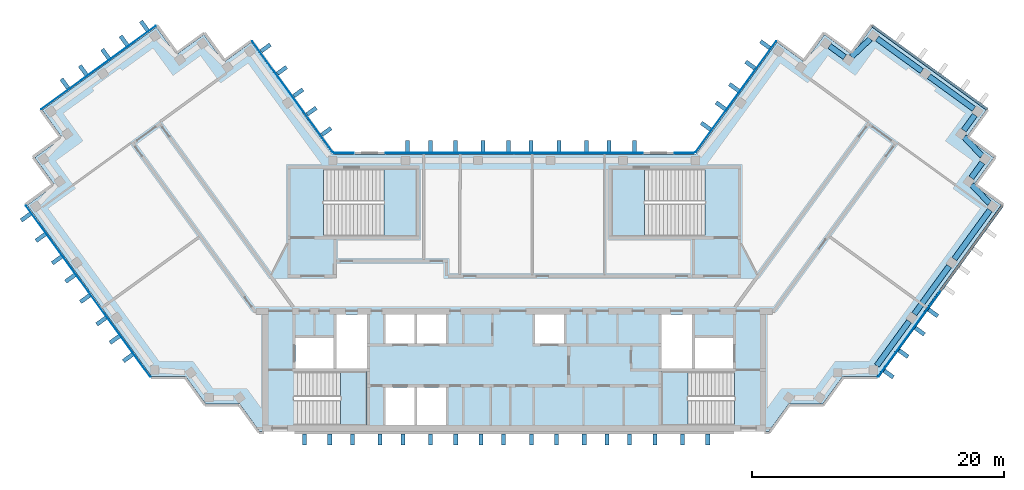
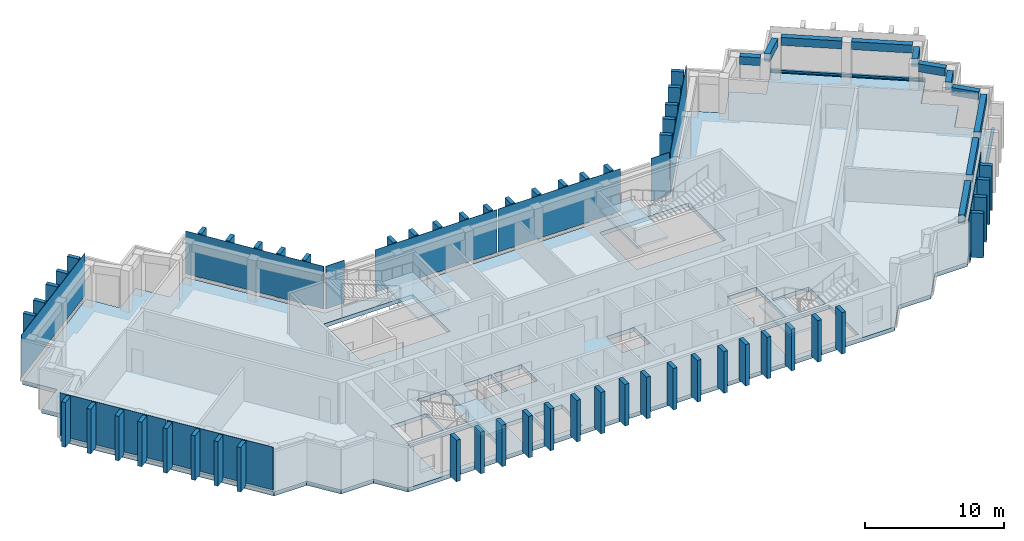
"""IFC4 building model written with IfcOpenShell, lengths in metres."""

from ifc_helpers import new_model, si_unit, direction, frame, origin, origin_2d, place, context, subcontext, project, spatial, polyline, rectangle, outline, extrude, material, layer, layer_set, material_profile, profile_set, type_object, element, aggregate, save


model = new_model("IFC4")

# Units and contexts
model_context = context("Model", 3, precision=1e-05, world=origin(), true_north=direction((0.0, 1.0)))
body_context = subcontext(model_context, "Body", "Model", "MODEL_VIEW")
ifc_project = project(units=[si_unit("LENGTHUNIT", "METRE"), si_unit("AREAUNIT", "SQUARE_METRE"), si_unit("VOLUMEUNIT", "CUBIC_METRE"), si_unit("PLANEANGLEUNIT", "RADIAN"), si_unit("MASSUNIT", "GRAM", prefix="KILO")], contexts=[model_context])

# Site, building, storey
site_placement = place(None, origin())
site = spatial("IfcSite", under=ifc_project, at=site_placement, CompositionType="ELEMENT")
building_placement = place(site_placement, origin())
building = spatial("IfcBuilding", under=site, at=building_placement, Name="Quipu Civic Tower", CompositionType="ELEMENT")
storey_1_placement = place(building_placement, frame((0.0, 0.0, 331.0)))
storey_1 = spatial("IfcBuildingStorey", under=building, at=storey_1_placement, Name="L77", CompositionType="ELEMENT", Elevation=331.0)

# Beams
ifc_material_1 = material(Name="Concrete C50/60", Category="concrete")
ifc_material_profile_1 = material_profile(ifc_material_1, rectangle(XDim=0.449951171875, YDim=0.699951171875, at=origin_2d()), Name="RC450x700")
ifc_profile_set_1 = profile_set([ifc_material_profile_1], Name="Concrete C50/60")
beam_type = type_object("IfcBeamType", Name="Spandrel beam RC 450x700 C50/60", PredefinedType="SPANDREL", material=ifc_profile_set_1)
beam_1_placement = place(storey_1_placement, frame((28.779296875, -5.780029296875, 3.300048828125), z_axis=(0.58777550284, 0.809024077677, 0.0), x_axis=(-0.809024077677, 0.58777550284, 0.0)))
element("IfcBeam", 1, at=beam_1_placement, inside=storey_1, type_object=beam_type, Name="Spandrel beam L77 J-Eo.4 to E-OUT-01", PredefinedType="SPANDREL", context=body_context, shape_type="SweptSolid", body=[
    extrude(rectangle(XDim=0.449951171875, YDim=0.699951171875, at=origin_2d()), origin(), (0.0, 0.0, 1.0), 4.36083984375),
])
beam_2_placement = place(storey_1_placement, frame((31.75390625, -1.685546875, 3.300048828125), z_axis=(0.587788656305, 0.809014521204, 0.0), x_axis=(-0.809014521204, 0.587788656305, 0.0)))
element("IfcBeam", 2, at=beam_2_placement, inside=storey_1, type_object=beam_type, Name="Spandrel beam L77 E-OUT-01 to E-OUT-02", PredefinedType="SPANDREL", context=body_context, shape_type="SweptSolid", body=[
    extrude(rectangle(XDim=0.449951171875, YDim=0.699951171875, at=origin_2d()), origin(), (0.0, 0.0, 1.0), 4.7001953125),
])
beam_3_placement = place(storey_1_placement, frame((34.927978515625, 2.68310546875, 3.300048828125), z_axis=(0.587905928359, 0.808929304328, 0.0), x_axis=(-0.808929304328, 0.587905928359, 0.0)))
element("IfcBeam", 3, at=beam_3_placement, inside=storey_1, type_object=beam_type, Name="Spandrel beam L77 E-OUT-02 to T-Eo.0-E22", PredefinedType="SPANDREL", context=body_context, shape_type="SweptSolid", body=[
    extrude(rectangle(XDim=0.449951171875, YDim=0.699951171875, at=origin_2d()), origin(), (0.0, 0.0, 1.0), 4.80712890625),
])
beam_4_placement = place(storey_1_placement, frame((37.71484375, 7.11279296875, 3.300048828125), z_axis=(-0.689175330605, 0.724594620244, 0.0), x_axis=(-0.724594620244, -0.689175330605, 0.0)))
element("IfcBeam", 4, at=beam_4_placement, inside=storey_1, type_object=beam_type, Name="Spandrel beam L77 T-Eo.0-E22 to T-Eo.1-E22", PredefinedType="SPANDREL", context=body_context, shape_type="SweptSolid", body=[
    extrude(rectangle(XDim=0.449951171875, YDim=0.699951171875, at=origin_2d()), origin(), (0.0, 0.0, 1.0), 2.033447265625),
])
beam_5_placement = place(storey_1_placement, frame((36.273681640625, 9.12744140625, 3.300048828125), z_axis=(0.587164895097, 0.809467347066, 0.0), x_axis=(-0.809467347066, 0.587164895097, 0.0)))
element("IfcBeam", 5, at=beam_5_placement, inside=storey_1, type_object=beam_type, Name="Spandrel beam L77 T-Eo.1-E22 to T-Eo.2-E22", PredefinedType="SPANDREL", context=body_context, shape_type="SweptSolid", body=[
    extrude(rectangle(XDim=0.449951171875, YDim=0.699951171875, at=origin_2d()), origin(), (0.0, 0.0, 1.0), 1.500244140625),
])
beam_6_placement = place(storey_1_placement, frame((37.114990234375, 10.88330078125, 3.300048828125), z_axis=(-0.688247466856, 0.725475998477, 0.0), x_axis=(-0.725475998477, -0.688247466856, 0.0)))
element("IfcBeam", 6, at=beam_6_placement, inside=storey_1, type_object=beam_type, Name="Spandrel beam L77 T-Eo.2-E22 to T-Eo.3-E22", PredefinedType="SPANDREL", context=body_context, shape_type="SweptSolid", body=[
    extrude(rectangle(XDim=0.449951171875, YDim=0.699951171875, at=origin_2d()), origin(), (0.0, 0.0, 1.0), 2.032958984375),
])
beam_7_placement = place(storey_1_placement, frame((35.6767578125, 12.8994140625, 3.300048828125), z_axis=(0.588345920092, 0.808609348394, 0.0), x_axis=(-0.808609348394, 0.588345920092, 0.0)))
element("IfcBeam", 7, at=beam_7_placement, inside=storey_1, type_object=beam_type, Name="Spandrel beam L77 T-Eo.3-E22 to T-Eo.4-E22", PredefinedType="SPANDREL", context=body_context, shape_type="SweptSolid", body=[
    extrude(rectangle(XDim=0.449951171875, YDim=0.699951171875, at=origin_2d()), origin(), (0.0, 0.0, 1.0), 1.499755859375),
])
beam_8_placement = place(storey_1_placement, frame((36.481689453125, 14.6005859375, 3.300048828125), z_axis=(-0.809117270763, 0.587647208921, 0.0), x_axis=(-0.587647208921, -0.809117270763, 0.0)))
element("IfcBeam", 8, at=beam_8_placement, inside=storey_1, type_object=beam_type, Name="Spandrel beam L77 T-Eo.4-E22 to TIP-E-01-E22", PredefinedType="SPANDREL", context=body_context, shape_type="SweptSolid", body=[
    extrude(rectangle(XDim=0.449951171875, YDim=0.699951171875, at=origin_2d()), origin(), (0.0, 0.0, 1.0), 4.40185546875),
])
beam_9_placement = place(storey_1_placement, frame((32.353759765625, 17.5986328125, 3.300048828125), z_axis=(-0.809146152767, 0.587607439931, 0.0), x_axis=(-0.587607439931, -0.809146152767, 0.0)))
element("IfcBeam", 9, at=beam_9_placement, inside=storey_1, type_object=beam_type, Name="Spandrel beam L77 TIP-E-01-E22 to T-Ei.0-E22", PredefinedType="SPANDREL", context=body_context, shape_type="SweptSolid", body=[
    extrude(rectangle(XDim=0.449951171875, YDim=0.699951171875, at=origin_2d()), origin(), (0.0, 0.0, 1.0), 4.400390625),
])
beam_10_placement = place(storey_1_placement, frame((28.251708984375, 20.14501953125, 3.300048828125), z_axis=(-0.725359138958, -0.688370626574, 0.0), x_axis=(0.688370626574, -0.725359138958, 0.0)))
element("IfcBeam", 10, at=beam_10_placement, inside=storey_1, type_object=beam_type, Name="Spandrel beam L77 T-Ei.0-E22 to T-Ei.1-E22", PredefinedType="SPANDREL", context=body_context, shape_type="SweptSolid", body=[
    extrude(rectangle(XDim=0.449951171875, YDim=0.699951171875, at=origin_2d()), origin(), (0.0, 0.0, 1.0), 2.032958984375),
])
beam_11_placement = place(storey_1_placement, frame((26.236083984375, 18.70654296875, 3.300048828125), z_axis=(-0.808644589435, 0.588297482553, 0.0), x_axis=(-0.588297482553, -0.808644589435, 0.0)))
element("IfcBeam", 11, at=beam_11_placement, inside=storey_1, type_object=beam_type, Name="Spandrel beam L77 T-Ei.1-E22 to T-Ei.2-E22", PredefinedType="SPANDREL", context=body_context, shape_type="SweptSolid", body=[
    extrude(rectangle(XDim=0.449951171875, YDim=0.699951171875, at=origin_2d()), origin(), (0.0, 0.0, 1.0), 1.500244140625),
])

# Storey
storey_2_placement = place(building_placement, frame((0.0, 0.0, 323.0)))
storey_2 = spatial("IfcBuildingStorey", under=building, at=storey_2_placement, Name="L75", CompositionType="ELEMENT", Elevation=323.0)

# Curtain wall, member
ifc_material_2 = material(Name="Insulated glass unit", Category="glass")
curtain_wall_type = type_object("IfcCurtainWallType", Name="Office curtain wall CW1", PredefinedType="NOTDEFINED", material=ifc_material_2)
curtain_wall_1_placement = place(storey_2_placement, origin())
curtain_wall_1 = element("IfcCurtainWall", 12, at=curtain_wall_1_placement, inside=storey_2, type_object=curtain_wall_type, Name="Office curtain wall CW1 L74 run 28", PredefinedType="NOTDEFINED")
ifc_material_3 = material(Name="Anodised aluminium", Category="aluminium")
ifc_material_profile_2 = material_profile(ifc_material_3, rectangle(XDim=0.199951171875, YDim=0.159912109375, at=origin_2d()), Name="RECT 200x160")
ifc_profile_set_2 = profile_set([ifc_material_profile_2], Name="Anodised aluminium")
member_type = type_object("IfcMemberType", Name="Transom CW1", PredefinedType="USERDEFINED", material=ifc_profile_set_2)
member_1_placement = place(storey_1_placement, frame((37.536865234375, 14.575927734375, 0.0), z_axis=(-0.809022463805, 0.587777724194, 0.0), x_axis=(-0.587777724194, -0.809022463805, 0.0)))
member_1 = element("IfcMember", 13, at=member_1_placement, inside=storey_1, type_object=member_type, Name="CW1 transom 1.4", ObjectType="TRANSOM", PredefinedType="USERDEFINED", context=body_context, shape_type="SweptSolid", body=[
    extrude(rectangle(XDim=0.199951171875, YDim=0.159912109375, at=origin_2d()), origin(), (0.0, 0.0, 1.0), 11.240234375),
])
aggregate(curtain_wall_1, [member_1])

# Storey
storey_3_placement = place(building_placement, frame((0.0, 0.0, 327.0)))
storey_3 = spatial("IfcBuildingStorey", under=building, at=storey_3_placement, Name="L76", CompositionType="ELEMENT", Elevation=327.0)

# Curtain wall, members
curtain_wall_2_placement = place(storey_3_placement, origin())
curtain_wall_2 = element("IfcCurtainWall", 14, at=curtain_wall_2_placement, inside=storey_3, type_object=curtain_wall_type, Name="Office curtain wall CW1 L75 run 4", PredefinedType="NOTDEFINED")
member_2_placement = place(storey_1_placement, frame((28.876708984375, -6.66650390625, 0.080078125), z_axis=(0.587812107925, 0.808997481935, 0.0), x_axis=(-0.808997481935, 0.587812107925, 0.0)))
member_2 = element("IfcMember", 15, at=member_2_placement, inside=storey_1, type_object=member_type, Name="CW1 transom 1.3", ObjectType="TRANSOM", PredefinedType="USERDEFINED", context=body_context, shape_type="SweptSolid", body=[
    extrude(rectangle(XDim=0.199951171875, YDim=0.159912109375, at=origin_2d()), origin(), (0.0, 0.0, 1.0), 8.35791015625),
])
member_3_placement = place(storey_1_placement, frame((33.83642578125, 0.15966796875, 0.080078125), z_axis=(0.587779098815, 0.809021465102, 0.0), x_axis=(-0.809021465102, 0.587779098815, 0.0)))
member_3 = element("IfcMember", 16, at=member_3_placement, inside=storey_1, type_object=member_type, Name="CW1 transom 2.3", ObjectType="TRANSOM", PredefinedType="USERDEFINED", context=body_context, shape_type="SweptSolid", body=[
    extrude(rectangle(XDim=0.199951171875, YDim=0.159912109375, at=origin_2d()), origin(), (0.0, 0.0, 1.0), 8.35791015625),
])

# Storey
storey_4_placement = place(building_placement, frame((0.0, 0.0, 335.0)))
storey_4 = spatial("IfcBuildingStorey", under=building, at=storey_4_placement, Name="L78", CompositionType="ELEMENT", Elevation=335.0)

# Curtain wall, member
curtain_wall_3_placement = place(storey_4_placement, origin())
curtain_wall_3 = element("IfcCurtainWall", 17, at=curtain_wall_3_placement, inside=storey_4, type_object=curtain_wall_type, Name="Office curtain wall CW1 L77 run 21", PredefinedType="NOTDEFINED")
member_4_placement = place(storey_1_placement, frame((37.536865234375, 14.575927734375, 0.159912109375), z_axis=(-0.809022463805, 0.587777724194, 0.0), x_axis=(-0.587777724194, -0.809022463805, 0.0)))
member_4 = element("IfcMember", 18, at=member_4_placement, inside=storey_1, type_object=member_type, Name="CW1 transom 1.1", ObjectType="TRANSOM", PredefinedType="USERDEFINED", context=body_context, shape_type="SweptSolid", body=[
    extrude(rectangle(XDim=0.199951171875, YDim=0.159912109375, at=origin_2d()), origin(), (0.0, 0.0, 1.0), 11.240234375),
])
aggregate(curtain_wall_3, [member_4])

# Slab
ifc_material_4 = material(Name="Concrete C40/50", Category="concrete")
ifc_layer_1 = layer(ifc_material_4, 0.35009765625)
ifc_layer_set_1 = layer_set([ifc_layer_1], Name="Concrete C40/50")
slab_type_1 = type_object("IfcSlabType", Name="Floor slab 350 C40/50", PredefinedType="FLOOR", material=ifc_layer_set_1)
slab_1_placement = place(storey_1_placement, frame((0.0, 0.0, -0.35009765625)))
element("IfcSlab", 19, at=slab_1_placement, inside=storey_1, type_object=slab_type_1, Name="Floor slab L77", PredefinedType="FLOOR", context=body_context, shape_type="SweptSolid", body=[
    extrude(outline(polyline([(20.860107421875, 19.89501953125), (23.0400390625, 18.31005859375), (24.6298828125, 20.4951171875), (26.81494140625, 18.905029296875), (28.39990234375, 21.090087890625), (37.4599609375, 14.5048828125), (35.875, 12.320068359375), (38.06005859375, 10.735107421875), (36.469970703125, 8.550048828125), (38.655029296875, 6.965087890625), (28.780029296875, -6.6298828125), (26.080078125, -6.6298828125), (24.489990234375, -8.81494140625), (21.7900390625, -8.81494140625), (20.205078125, -11.0), (-20.205078125, -11.0), (-21.7900390625, -8.81494140625), (-24.489990234375, -8.81494140625), (-26.080078125, -6.6298828125), (-28.780029296875, -6.6298828125), (-38.655029296875, 6.965087890625), (-36.469970703125, 8.550048828125), (-38.06005859375, 10.735107421875), (-35.875, 12.320068359375), (-37.4599609375, 14.5048828125), (-28.39990234375, 21.090087890625), (-26.81494140625, 18.905029296875), (-24.6298828125, 20.4951171875), (-23.0400390625, 18.31005859375), (-20.860107421875, 19.89501953125), (-14.39501953125, 11.0), (14.39501953125, 11.0), (20.860107421875, 19.89501953125)]), holes=[polyline([(-10.199951171875, -10.5), (-7.89990234375, -10.5), (-7.89990234375, -7.5), (-10.199951171875, -7.5), (-10.199951171875, -10.5)]), polyline([(-7.699951171875, -7.5), (-7.699951171875, -10.5), (-5.39990234375, -10.5), (-5.39990234375, -7.5), (-7.699951171875, -7.5)]), polyline([(-11.705078125, -6.2548828125), (-17.4951171875, -6.2548828125), (-17.4951171875, -10.4951171875), (-11.705078125, -10.4951171875), (-11.705078125, -6.2548828125)]), polyline([(-17.35009765625, -6.0), (-14.35009765625, -6.0), (-14.35009765625, -3.60009765625), (-17.35009765625, -3.60009765625), (-17.35009765625, -6.0)]), polyline([(-14.10009765625, -1.699951171875), (-14.10009765625, -6.0), (-11.699951171875, -6.0), (-11.699951171875, -1.699951171875), (-14.10009765625, -1.699951171875)]), polyline([(-10.199951171875, -1.699951171875), (-10.199951171875, -4.0), (-7.89990234375, -4.0), (-7.89990234375, -1.699951171875), (-10.199951171875, -1.699951171875)]), polyline([(-15.14501953125, 9.844970703125), (-15.14501953125, 4.5048828125), (-7.7548828125, 4.5048828125), (-7.7548828125, 9.844970703125), (-15.14501953125, 9.844970703125)]), polyline([(11.705078125, -10.4951171875), (17.4951171875, -10.4951171875), (17.4951171875, -6.2548828125), (11.705078125, -6.2548828125), (11.705078125, -10.4951171875)]), polyline([(14.35009765625, -3.60009765625), (14.35009765625, -6.0), (17.35009765625, -6.0), (17.35009765625, -3.60009765625), (14.35009765625, -3.60009765625)]), polyline([(11.699951171875, -1.699951171875), (11.699951171875, -6.0), (14.10009765625, -6.0), (14.10009765625, -1.699951171875), (11.699951171875, -1.699951171875)]), polyline([(-7.699951171875, -1.699951171875), (-7.699951171875, -4.0), (-5.39990234375, -4.0), (-5.39990234375, -1.699951171875), (-7.699951171875, -1.699951171875)]), polyline([(1.64990234375, -1.699951171875), (1.64990234375, -4.0), (3.949951171875, -4.0), (3.949951171875, -1.699951171875), (1.64990234375, -1.699951171875)]), polyline([(7.7548828125, 4.5048828125), (15.14501953125, 4.5048828125), (15.14501953125, 9.844970703125), (7.7548828125, 9.844970703125), (7.7548828125, 4.5048828125)])]), origin(), (0.0, 0.0, 1.0), 0.35009765625),
])

# Plate
ifc_material_5 = material(Name="Insulated glass unit", Category="glass")
ifc_layer_2 = layer(ifc_material_5, 0.028076171875)
ifc_layer_set_2 = layer_set([ifc_layer_2], Name="Insulated glass unit")
plate_type_1 = type_object("IfcPlateType", Name="Glass panel CW1", PredefinedType="CURTAIN_PANEL", material=ifc_layer_set_2)
plate_1_placement = place(storey_1_placement, frame((31.333251953125, -3.285888671875, 0.16015625), z_axis=(0.0, 0.0, 1.0), x_axis=(0.587786237643, 0.809016278475, 0.0)))
plate_1 = element("IfcPlate", 20, at=plate_1_placement, inside=storey_1, type_object=plate_type_1, Name="CW1 panel 1.3", PredefinedType="CURTAIN_PANEL", context=body_context, shape_type="SweptSolid", body=[
    extrude(rectangle(XDim=8.35791015625, YDim=0.028076171875, at=origin_2d()), origin(), (0.0, 0.0, 1.0), 3.760009765625),
])

aggregate(curtain_wall_2, [member_2, plate_1, member_3])

# Curtain wall, plate
curtain_wall_4_placement = place(storey_4_placement, origin())
curtain_wall_4 = element("IfcCurtainWall", 21, at=curtain_wall_4_placement, inside=storey_4, type_object=curtain_wall_type, Name="Office curtain wall CW1 L77 run 1", PredefinedType="NOTDEFINED")
plate_2_placement = place(storey_1_placement, frame((-17.590087890625, 15.5673828125, 0.240234375), z_axis=(0.0, 0.0, 1.0), x_axis=(-0.587787771652, 0.809015163947, 0.0)))
plate_2 = element("IfcPlate", 22, at=plate_2_placement, inside=storey_1, type_object=plate_type_1, Name="CW1 panel 1.1", PredefinedType="CURTAIN_PANEL", context=body_context, shape_type="SweptSolid", body=[
    extrude(rectangle(XDim=10.88427734375, YDim=0.028076171875, at=origin_2d()), origin(), (0.0, 0.0, 1.0), 3.760009765625),
])
aggregate(curtain_wall_4, [plate_2])

curtain_wall_5_placement = place(storey_4_placement, origin())
curtain_wall_5 = element("IfcCurtainWall", 23, at=curtain_wall_5_placement, inside=storey_4, type_object=curtain_wall_type, Name="Office curtain wall CW1 L77 run 6", PredefinedType="NOTDEFINED")
plate_3_placement = place(storey_1_placement, frame((-32.989990234375, 17.87939453125, 0.240234375), z_axis=(0.0, 0.0, 1.0), x_axis=(-0.809015176832, -0.587787753918, 0.0)))
plate_3 = element("IfcPlate", 24, at=plate_3_placement, inside=storey_1, type_object=plate_type_1, Name="CW1 panel 1.1", PredefinedType="CURTAIN_PANEL", context=body_context, shape_type="SweptSolid", body=[
    extrude(rectangle(XDim=11.239990234375, YDim=0.028076171875, at=origin_2d()), origin(), (0.0, 0.0, 1.0), 3.760009765625),
])
aggregate(curtain_wall_5, [plate_3])

# Curtain wall, plates
curtain_wall_6_placement = place(storey_4_placement, origin())
curtain_wall_6 = element("IfcCurtainWall", 25, at=curtain_wall_6_placement, inside=storey_4, type_object=curtain_wall_type, Name="Office curtain wall CW1 L77 run 11", PredefinedType="NOTDEFINED")
plate_4_placement = place(storey_1_placement, frame((-36.292724609375, 3.54052734375, 0.240234375), z_axis=(0.0, 0.0, 1.0), x_axis=(0.587786237643, -0.809016278475, 0.0)))
plate_4 = element("IfcPlate", 26, at=plate_4_placement, inside=storey_1, type_object=plate_type_1, Name="CW1 panel 1.1", PredefinedType="CURTAIN_PANEL", context=body_context, shape_type="SweptSolid", body=[
    extrude(rectangle(XDim=8.35791015625, YDim=0.028076171875, at=origin_2d()), origin(), (0.0, 0.0, 1.0), 3.760009765625),
])
plate_5_placement = place(storey_1_placement, frame((-31.333251953125, -3.285888671875, 0.240234375), z_axis=(0.0, 0.0, 1.0), x_axis=(0.587786237643, -0.809016278475, 0.0)))
plate_5 = element("IfcPlate", 27, at=plate_5_placement, inside=storey_1, type_object=plate_type_1, Name="CW1 panel 2.1", PredefinedType="CURTAIN_PANEL", context=body_context, shape_type="SweptSolid", body=[
    extrude(rectangle(XDim=8.35791015625, YDim=0.028076171875, at=origin_2d()), origin(), (0.0, 0.0, 1.0), 3.760009765625),
])
aggregate(curtain_wall_6, [plate_4, plate_5])

# Curtain wall, plate
curtain_wall_7_placement = place(storey_4_placement, origin())
curtain_wall_7 = element("IfcCurtainWall", 28, at=curtain_wall_7_placement, inside=storey_4, type_object=curtain_wall_type, Name="Office curtain wall CW1 L77 run 26", PredefinedType="NOTDEFINED")
plate_6_placement = place(storey_1_placement, frame((17.590087890625, 15.5673828125, 0.240234375), z_axis=(0.0, 0.0, 1.0), x_axis=(-0.587787771652, -0.809015163947, 0.0)))
plate_6 = element("IfcPlate", 29, at=plate_6_placement, inside=storey_1, type_object=plate_type_1, Name="CW1 panel 1.1", PredefinedType="CURTAIN_PANEL", context=body_context, shape_type="SweptSolid", body=[
    extrude(rectangle(XDim=10.88427734375, YDim=0.028076171875, at=origin_2d()), origin(), (0.0, 0.0, 1.0), 3.760009765625),
])
aggregate(curtain_wall_7, [plate_6])

curtain_wall_8_placement = place(storey_4_placement, origin())
curtain_wall_8 = element("IfcCurtainWall", 30, at=curtain_wall_8_placement, inside=storey_4, type_object=curtain_wall_type, Name="Office curtain wall CW1 L77 run 27", PredefinedType="NOTDEFINED")
plate_7_placement = place(storey_1_placement, frame((13.49951171875, 11.10009765625, 0.240234375), z_axis=(0.0, 0.0, 1.0), x_axis=(-1.0, 0.0, 0.0)))
plate_7 = element("IfcPlate", 31, at=plate_7_placement, inside=storey_1, type_object=plate_type_1, Name="CW1 panel 1.1", PredefinedType="CURTAIN_PANEL", context=body_context, shape_type="SweptSolid", body=[
    extrude(rectangle(XDim=1.529296875, YDim=0.028076171875, at=origin_2d()), origin(), (0.0, 0.0, 1.0), 3.760009765625),
])
aggregate(curtain_wall_8, [plate_7])

# Curtain wall, plates
curtain_wall_9_placement = place(storey_4_placement, origin())
curtain_wall_9 = element("IfcCurtainWall", 32, at=curtain_wall_9_placement, inside=storey_4, type_object=curtain_wall_type, Name="Office curtain wall CW1 L77 run 29", PredefinedType="NOTDEFINED")
plate_8_placement = place(storey_1_placement, frame((5.11181640625, 11.10009765625, 0.240234375), z_axis=(0.0, 0.0, 1.0), x_axis=(-1.0, 0.0, 0.0)))
plate_8 = element("IfcPlate", 33, at=plate_8_placement, inside=storey_1, type_object=plate_type_1, Name="CW1 panel 1.1", PredefinedType="CURTAIN_PANEL", context=body_context, shape_type="SweptSolid", body=[
    extrude(rectangle(XDim=10.1435546875, YDim=0.028076171875, at=origin_2d()), origin(), (0.0, 0.0, 1.0), 3.760009765625),
])
plate_9_placement = place(storey_1_placement, frame((-5.11181640625, 11.10009765625, 0.240234375), z_axis=(0.0, 0.0, 1.0), x_axis=(-1.0, 0.0, 0.0)))
plate_9 = element("IfcPlate", 34, at=plate_9_placement, inside=storey_1, type_object=plate_type_1, Name="CW1 panel 2.1", PredefinedType="CURTAIN_PANEL", context=body_context, shape_type="SweptSolid", body=[
    extrude(rectangle(XDim=10.1435546875, YDim=0.028076171875, at=origin_2d()), origin(), (0.0, 0.0, 1.0), 3.760009765625),
])
aggregate(curtain_wall_9, [plate_8, plate_9])

# Curtain wall, plate
curtain_wall_10_placement = place(storey_4_placement, origin())
curtain_wall_10 = element("IfcCurtainWall", 35, at=curtain_wall_10_placement, inside=storey_4, type_object=curtain_wall_type, Name="Office curtain wall CW1 L77 run 31", PredefinedType="NOTDEFINED")
plate_10_placement = place(storey_1_placement, frame((-13.49951171875, 11.10009765625, 0.240234375), z_axis=(0.0, 0.0, 1.0), x_axis=(-1.0, 0.0, 0.0)))
plate_10 = element("IfcPlate", 36, at=plate_10_placement, inside=storey_1, type_object=plate_type_1, Name="CW1 panel 1.1", PredefinedType="CURTAIN_PANEL", context=body_context, shape_type="SweptSolid", body=[
    extrude(rectangle(XDim=1.529296875, YDim=0.028076171875, at=origin_2d()), origin(), (0.0, 0.0, 1.0), 3.760009765625),
])
aggregate(curtain_wall_10, [plate_10])

# Plates
ifc_material_6 = material(Name="Precast concrete C40/50", Category="concrete")
plate_type_2 = type_object("IfcPlateType", Name="Precast fin F3", PredefinedType="SHEET", material=ifc_material_6)
for number, where, z_axis, x_axis, name in (
    (37, (29.721923828125, -6.43896484375, 0.080078125), (0.0, 0.0, 1.0), (0.587786668783, 0.809015965233, 0.0), "Precast fin F3 L77.P04.1"),
    (38, (30.8974609375, -4.821044921875, 0.080078125), (0.0, 0.0, 1.0), (0.587786668783, 0.809015965233, 0.0), "Precast fin F3 L77.P04.2"),
    (39, (32.190673828125, -3.041015625, 0.080078125), (0.0, 0.0, 1.0), (0.587786668783, 0.809015965233, 0.0), "Precast fin F3 L77.P04.3"),
    (40, (33.248779296875, -1.5849609375, 0.080078125), (0.0, 0.0, 1.0), (0.587786668783, 0.809015965233, 0.0), "Precast fin F3 L77.P04.4"),
    (41, (-14.90380859375, 12.805908203125, 0.080078125), (0.0, 0.0, 1.0), (-0.58778443384, 0.809017589015, 0.0), "Precast fin F3 L77.1.1"),
    (42, (-16.079345703125, 14.424072265625, 0.080078125), (0.0, 0.0, 1.0), (-0.58778443384, 0.809017589015, 0.0), "Precast fin F3 L77.1.2"),
    (43, (-17.137451171875, 15.880126953125, 0.080078125), (0.0, 0.0, 1.0), (-0.58778443384, 0.809017589015, 0.0), "Precast fin F3 L77.1.3"),
    (44, (-18.4306640625, 17.66015625, 0.080078125), (0.0, 0.0, 1.0), (-0.58778443384, 0.809017589015, 0.0), "Precast fin F3 L77.1.4"),
    (45, (-19.7236328125, 19.43994140625, 0.080078125), (0.0, 0.0, 1.0), (-0.58778443384, 0.809017589015, 0.0), "Precast fin F3 L77.1.5"),
    (46, (-29.357177734375, 21.198486328125, 0.080078125), (0.0, 0.0, 1.0), (-0.809017072762, -0.587785144401, 0.0), "Precast fin F3 L77.6.1"),
    (47, (-30.975341796875, 20.02294921875, 0.080078125), (0.0, 0.0, 1.0), (-0.809017072762, -0.587785144401, 0.0), "Precast fin F3 L77.6.2"),
    (48, (-32.431640625, 18.96484375, 0.080078125), (0.0, 0.0, 1.0), (-0.809017072762, -0.587785144401, 0.0), "Precast fin F3 L77.6.3"),
    (49, (-34.21142578125, 17.671875, 0.080078125), (0.0, 0.0, 1.0), (-0.809017072762, -0.587785144401, 0.0), "Precast fin F3 L77.6.4"),
    (50, (-35.66748046875, 16.61376953125, 0.080078125), (0.0, 0.0, 1.0), (-0.809017072762, -0.587785144401, 0.0), "Precast fin F3 L77.6.5"),
    (51, (-38.764892578125, 6.007568359375, 0.080078125), (0.0, 0.0, 1.0), (0.587786668783, -0.809015965233, 0.0), "Precast fin F3 L77.11.1"),
    (52, (-37.58935546875, 4.389404296875, 0.080078125), (0.0, 0.0, 1.0), (0.587786668783, -0.809015965233, 0.0), "Precast fin F3 L77.11.2"),
    (53, (-36.296142578125, 2.609619140625, 0.080078125), (0.0, 0.0, 1.0), (0.587786668783, -0.809015965233, 0.0), "Precast fin F3 L77.11.3"),
    (54, (-35.23828125, 1.1533203125, 0.080078125), (0.0, 0.0, 1.0), (0.587786668783, -0.809015965233, 0.0), "Precast fin F3 L77.11.4"),
    (55, (-34.062744140625, -0.464599609375, 0.080078125), (0.0, 0.0, 1.0), (0.587786668783, -0.809015965233, 0.0), "Precast fin F3 L77.11.5"),
    (56, (-32.76953125, -2.244384765625, 0.080078125), (0.0, 0.0, 1.0), (0.587786668783, -0.809015965233, 0.0), "Precast fin F3 L77.11.6"),
    (57, (-31.71142578125, -3.70068359375, 0.080078125), (0.0, 0.0, 1.0), (0.587786668783, -0.809015965233, 0.0), "Precast fin F3 L77.11.7"),
    (58, (-30.653564453125, -5.156982421875, 0.080078125), (0.0, 0.0, 1.0), (0.587786668783, -0.809015965233, 0.0), "Precast fin F3 L77.11.8"),
):
    element("IfcPlate", number, at=place(storey_1_placement, frame(where, z_axis=z_axis, x_axis=x_axis)), inside=storey_1, type_object=plate_type_2, Name=name, PredefinedType="SHEET", context=body_context, shape_type="SweptSolid", body=[
        extrude(rectangle(XDim=0.320068359375, YDim=0.89990234375, at=origin_2d()), origin(), (0.0, 0.0, 1.0), 3.919921875),
    ])
for number, where, z_axis, x_axis, name in (
    (59, (-16.639892578125, -11.637939453125, 0.0), (0.0, 0.0, 1.0), (1.0, 0.0, 0.0), "Precast fin F3 L77.17.1"),
    (60, (-14.639892578125, -11.637939453125, 0.0), (0.0, 0.0, 1.0), (1.0, 0.0, 0.0), "Precast fin F3 L77.17.2"),
    (61, (-12.840087890625, -11.637939453125, 0.0), (0.0, 0.0, 1.0), (1.0, 0.0, 0.0), "Precast fin F3 L77.17.3"),
    (62, (-10.639892578125, -11.637939453125, 0.0), (0.0, 0.0, 1.0), (1.0, 0.0, 0.0), "Precast fin F3 L77.17.4"),
    (63, (-8.840087890625, -11.637939453125, 0.0), (0.0, 0.0, 1.0), (1.0, 0.0, 0.0), "Precast fin F3 L77.17.5"),
    (64, (-6.639892578125, -11.637939453125, 0.0), (0.0, 0.0, 1.0), (1.0, 0.0, 0.0), "Precast fin F3 L77.17.6"),
    (65, (-4.639892578125, -11.637939453125, 0.0), (0.0, 0.0, 1.0), (1.0, 0.0, 0.0), "Precast fin F3 L77.17.7"),
    (66, (-2.639892578125, -11.637939453125, 0.0), (0.0, 0.0, 1.0), (1.0, 0.0, 0.0), "Precast fin F3 L77.17.8"),
    (67, (-0.840087890625, -11.637939453125, 0.0), (0.0, 0.0, 1.0), (1.0, 0.0, 0.0), "Precast fin F3 L77.17.9"),
    (68, (1.360107421875, -11.637939453125, 0.0), (0.0, 0.0, 1.0), (1.0, 0.0, 0.0), "Precast fin F3 L77.17.10"),
    (69, (3.360107421875, -11.637939453125, 0.0), (0.0, 0.0, 1.0), (1.0, 0.0, 0.0), "Precast fin F3 L77.17.11"),
    (70, (5.56005859375, -11.637939453125, 0.0), (0.0, 0.0, 1.0), (1.0, 0.0, 0.0), "Precast fin F3 L77.17.12"),
    (71, (7.360107421875, -11.637939453125, 0.0), (0.0, 0.0, 1.0), (1.0, 0.0, 0.0), "Precast fin F3 L77.17.13"),
    (72, (9.159912109375, -11.637939453125, 0.0), (0.0, 0.0, 1.0), (1.0, 0.0, 0.0), "Precast fin F3 L77.17.14"),
    (73, (11.159912109375, -11.637939453125, 0.0), (0.0, 0.0, 1.0), (1.0, 0.0, 0.0), "Precast fin F3 L77.17.15"),
    (74, (13.360107421875, -11.637939453125, 0.0), (0.0, 0.0, 1.0), (1.0, 0.0, 0.0), "Precast fin F3 L77.17.16"),
    (75, (15.360107421875, -11.637939453125, 0.0), (0.0, 0.0, 1.0), (1.0, 0.0, 0.0), "Precast fin F3 L77.17.17"),
):
    element("IfcPlate", number, at=place(storey_1_placement, frame(where, z_axis=z_axis, x_axis=x_axis)), inside=storey_1, type_object=plate_type_2, Name=name, PredefinedType="SHEET", context=body_context, shape_type="SweptSolid", body=[
        extrude(rectangle(XDim=0.320068359375, YDim=0.89990234375, at=origin_2d()), origin(), (0.0, 0.0, 1.0), 3.64990234375),
    ])
for number, where, z_axis, x_axis, name in (
    (76, (19.914794921875, 19.702880859375, 0.080078125), (0.0, 0.0, 1.0), (-0.58778443384, -0.809017589015, 0.0), "Precast fin F3 L77.26.1"),
    (77, (18.7392578125, 18.0849609375, 0.080078125), (0.0, 0.0, 1.0), (-0.58778443384, -0.809017589015, 0.0), "Precast fin F3 L77.26.2"),
    (78, (17.446044921875, 16.30517578125, 0.080078125), (0.0, 0.0, 1.0), (-0.58778443384, -0.809017589015, 0.0), "Precast fin F3 L77.26.3"),
    (79, (16.38818359375, 14.848876953125, 0.080078125), (0.0, 0.0, 1.0), (-0.58778443384, -0.809017589015, 0.0), "Precast fin F3 L77.26.4"),
    (80, (15.212646484375, 13.230712890625, 0.080078125), (0.0, 0.0, 1.0), (-0.58778443384, -0.809017589015, 0.0), "Precast fin F3 L77.26.5"),
    (81, (9.5400390625, 11.64990234375, 0.080078125), (0.0, 0.0, 1.0), (-1.0, 0.0, 0.0), "Precast fin F3 L77.29.1"),
    (82, (7.5400390625, 11.64990234375, 0.080078125), (0.0, 0.0, 1.0), (-1.0, 0.0, 0.0), "Precast fin F3 L77.29.2"),
    (83, (5.739990234375, 11.64990234375, 0.080078125), (0.0, 0.0, 1.0), (-1.0, 0.0, 0.0), "Precast fin F3 L77.29.3"),
    (84, (3.5400390625, 11.64990234375, 0.080078125), (0.0, 0.0, 1.0), (-1.0, 0.0, 0.0), "Precast fin F3 L77.29.4"),
    (85, (1.340087890625, 11.64990234375, 0.080078125), (0.0, 0.0, 1.0), (-1.0, 0.0, 0.0), "Precast fin F3 L77.29.5"),
    (86, (-0.4599609375, 11.64990234375, 0.080078125), (0.0, 0.0, 1.0), (-1.0, 0.0, 0.0), "Precast fin F3 L77.29.6"),
    (87, (-2.4599609375, 11.64990234375, 0.080078125), (0.0, 0.0, 1.0), (-1.0, 0.0, 0.0), "Precast fin F3 L77.29.7"),
    (88, (-4.659912109375, 11.64990234375, 0.080078125), (0.0, 0.0, 1.0), (-1.0, 0.0, 0.0), "Precast fin F3 L77.29.8"),
    (89, (-6.659912109375, 11.64990234375, 0.080078125), (0.0, 0.0, 1.0), (-1.0, 0.0, 0.0), "Precast fin F3 L77.29.9"),
    (90, (-8.4599609375, 11.64990234375, 0.080078125), (0.0, 0.0, 1.0), (-1.0, 0.0, 0.0), "Precast fin F3 L77.29.10"),
):
    element("IfcPlate", number, at=place(storey_1_placement, frame(where, z_axis=z_axis, x_axis=x_axis)), inside=storey_1, type_object=plate_type_2, Name=name, PredefinedType="SHEET", context=body_context, shape_type="SweptSolid", body=[
        extrude(rectangle(XDim=0.320068359375, YDim=0.89990234375, at=origin_2d()), origin(), (0.0, 0.0, 1.0), 3.919921875),
    ])

# Stair, slab
ifc_material_7 = material(Name="Concrete C40/50", Category="concrete")
stair_type_1 = type_object("IfcStairType", Name="Half turn stair 2000", PredefinedType="HALF_TURN_STAIR", material=ifc_material_7)
stair_1_placement = place(storey_1_placement, origin())
stair_1 = element("IfcStair", 91, at=stair_1_placement, inside=storey_1, type_object=stair_type_1, Name="Exit stair 1", PredefinedType="HALF_TURN_STAIR")
ifc_material_8 = material(Name="Concrete C40/50", Category="concrete")
ifc_layer_3 = layer(ifc_material_8, 0.199951171875)
ifc_layer_set_3 = layer_set([ifc_layer_3], Name="Concrete C40/50")
slab_type_2 = type_object("IfcSlabType", Name="Stair landing 200", PredefinedType="LANDING", material=ifc_layer_set_3)
slab_2_placement = place(storey_1_placement, frame((0.0, 0.0, 1.800048828125)))
slab_2 = element("IfcSlab", 92, at=slab_2_placement, type_object=slab_type_2, Name="ST-1 landing 1", PredefinedType="LANDING", context=body_context, shape_type="SweptSolid", body=[
    extrude(outline(polyline([(-13.780029296875, -10.5), (-11.699951171875, -10.5), (-11.699951171875, -6.25), (-13.780029296875, -6.25), (-13.780029296875, -10.5)])), origin(), (0.0, 0.0, 1.0), 0.199951171875),
])
aggregate(stair_1, [slab_2])

stair_2_placement = place(storey_1_placement, origin())
stair_2 = element("IfcStair", 93, at=stair_2_placement, inside=storey_1, type_object=stair_type_1, Name="Exit stair 2", PredefinedType="HALF_TURN_STAIR")
slab_3_placement = place(storey_1_placement, frame((0.0, 0.0, 1.800048828125)))
slab_3 = element("IfcSlab", 94, at=slab_3_placement, type_object=slab_type_2, Name="ST-2 landing 1", PredefinedType="LANDING", context=body_context, shape_type="SweptSolid", body=[
    extrude(outline(polyline([(13.780029296875, -6.25), (11.699951171875, -6.25), (11.699951171875, -10.5), (13.780029296875, -10.5), (13.780029296875, -6.25)])), origin(), (0.0, 0.0, 1.0), 0.199951171875),
])
aggregate(stair_2, [slab_3])

ifc_material_9 = material(Name="Concrete C40/50", Category="concrete")
stair_type_2 = type_object("IfcStairType", Name="Half turn stair 2600", PredefinedType="HALF_TURN_STAIR", material=ifc_material_9)
stair_3_placement = place(storey_1_placement, origin())
stair_3 = element("IfcStair", 95, at=stair_3_placement, inside=storey_1, type_object=stair_type_2, Name="Exit stair 3", PredefinedType="HALF_TURN_STAIR")
slab_4_placement = place(storey_1_placement, frame((0.0, 0.0, 1.800048828125)))
slab_4 = element("IfcSlab", 96, at=slab_4_placement, type_object=slab_type_2, Name="ST-3 landing 1", PredefinedType="LANDING", context=body_context, shape_type="SweptSolid", body=[
    extrude(outline(polyline([(-10.35009765625, 4.5), (-7.75, 4.5), (-7.75, 9.85009765625), (-10.35009765625, 9.85009765625), (-10.35009765625, 4.5)])), origin(), (0.0, 0.0, 1.0), 0.199951171875),
])
aggregate(stair_3, [slab_4])

stair_4_placement = place(storey_1_placement, origin())
stair_4 = element("IfcStair", 97, at=stair_4_placement, inside=storey_1, type_object=stair_type_2, Name="Exit stair 4", PredefinedType="HALF_TURN_STAIR")
slab_5_placement = place(storey_1_placement, frame((0.0, 0.0, 1.800048828125)))
slab_5 = element("IfcSlab", 98, at=slab_5_placement, type_object=slab_type_2, Name="ST-4 landing 1", PredefinedType="LANDING", context=body_context, shape_type="SweptSolid", body=[
    extrude(outline(polyline([(10.35009765625, 9.85009765625), (7.75, 9.85009765625), (7.75, 4.5), (10.35009765625, 4.5), (10.35009765625, 9.85009765625)])), origin(), (0.0, 0.0, 1.0), 0.199951171875),
])
aggregate(stair_4, [slab_5])

save(model, "model.ifc")
